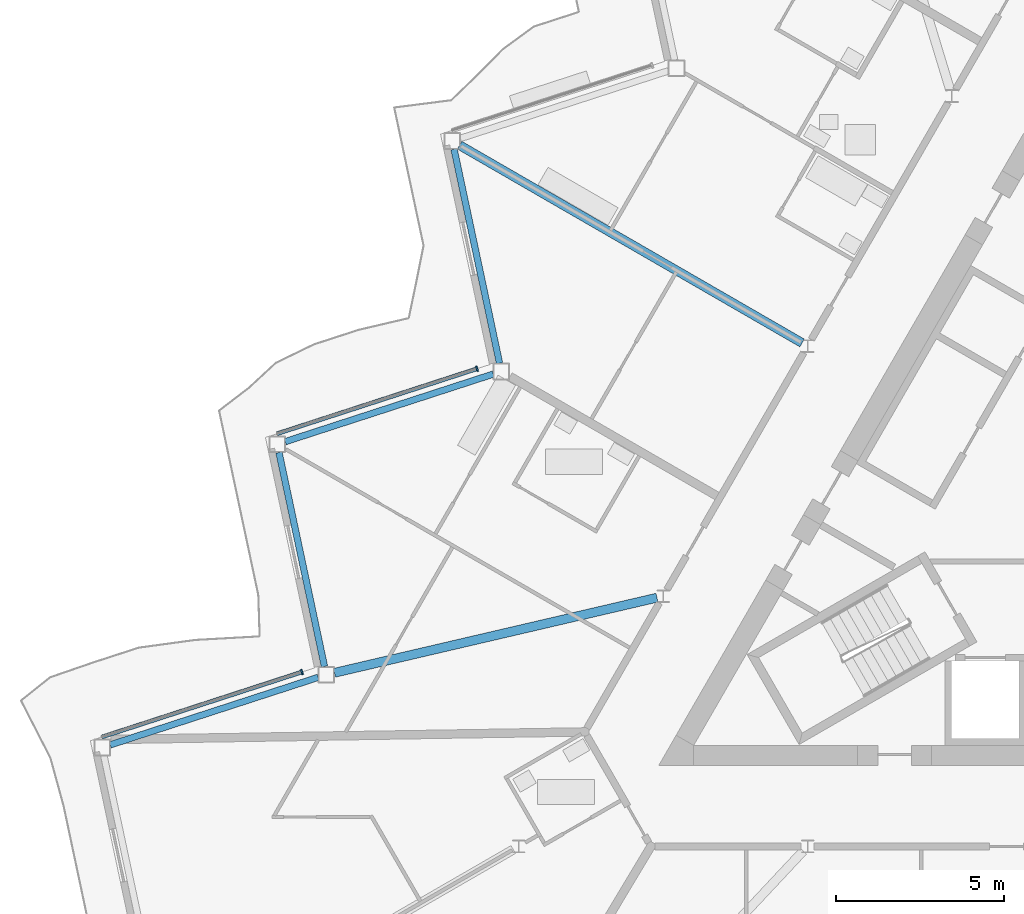
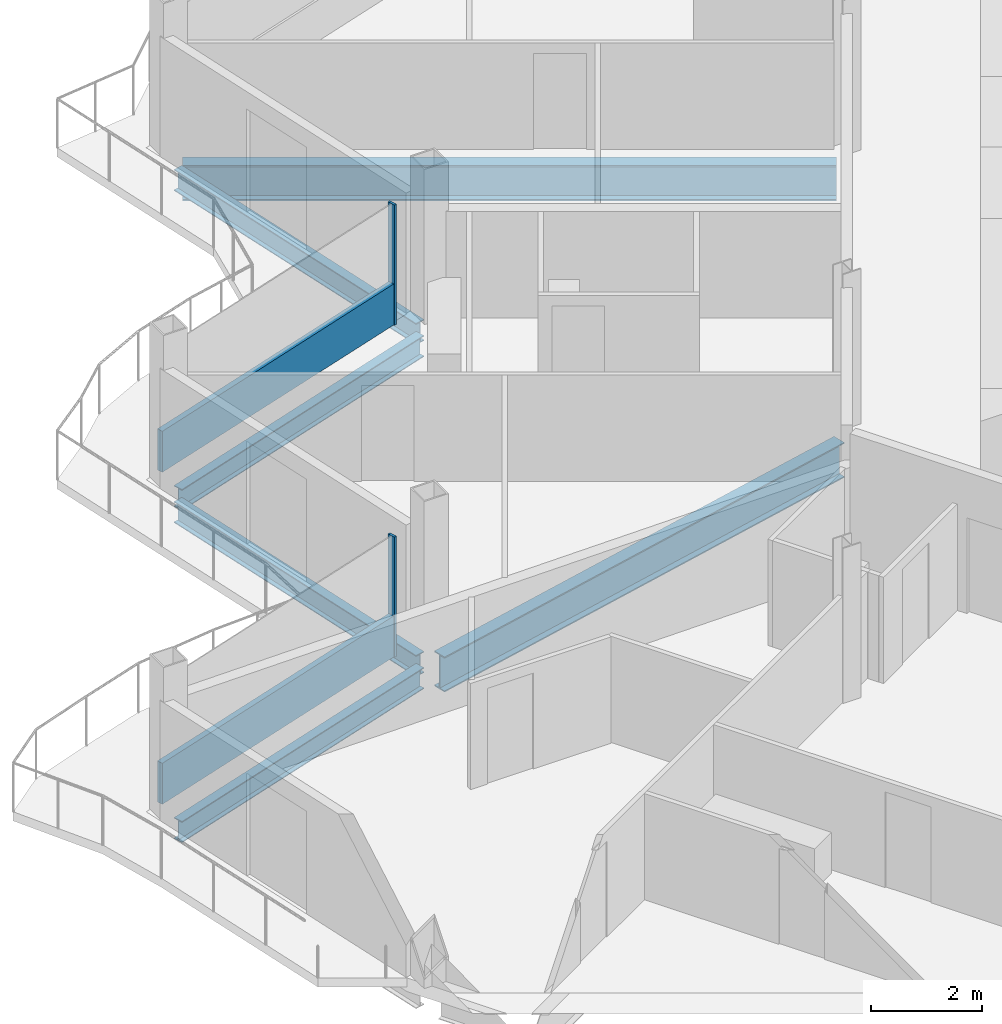
# One storey, part 6 of 26: 6 beams, 4 members, 2 elements without a shape of their own.
"""IFC4 building model written with IfcOpenShell, lengths in metres."""

from ifc_helpers import new_model, si_unit, direction, frame, origin, origin_2d, place, context, subcontext, project, spatial, rectangle, i_section, extrude, material, layer, layer_set, material_profile, profile_set, type_object, element, aggregate, save


model = new_model("IFC4")

# Units and contexts
model_context = context("Model", 3, precision=1e-05, world=origin(), true_north=direction((0.0, 1.0)))
body_context = subcontext(model_context, "Body", "Model", "MODEL_VIEW")
ifc_project = project(units=[si_unit("LENGTHUNIT", "METRE"), si_unit("AREAUNIT", "SQUARE_METRE"), si_unit("VOLUMEUNIT", "CUBIC_METRE"), si_unit("PLANEANGLEUNIT", "RADIAN"), si_unit("MASSUNIT", "GRAM", prefix="KILO")], contexts=[model_context])

# Site, building, storey
site_placement = place(None, origin())
site = spatial("IfcSite", under=ifc_project, at=site_placement, CompositionType="ELEMENT")
building_placement = place(site_placement, origin())
building = spatial("IfcBuilding", under=site, at=building_placement, Name="Cormorant Prow Tower", CompositionType="ELEMENT")
storey_placement = place(building_placement, frame((0.0, 0.0, 388.199951171875)))
storey = spatial("IfcBuildingStorey", under=building, at=storey_placement, Name="L88", CompositionType="ELEMENT", Elevation=388.199951171875)

# Beams
ifc_material_1 = material(Name="Structural steel ASTM A992 Gr 50", Category="steel")
ifc_material_profile_1 = material_profile(ifc_material_1, i_section(OverallWidth=0.267822265625, OverallDepth=0.77001953125, WebThickness=0.015625, FlangeThickness=0.025390625, at=origin_2d()), Name="W30x132")
ifc_profile_set_1 = profile_set([ifc_material_profile_1], Name="Structural steel ASTM A992 Gr 50")
beam_type_1 = type_object("IfcBeamType", Name="Radial floor beam W30x132", PredefinedType="BEAM", material=ifc_profile_set_1)
beam_1_placement = place(storey_placement, frame((-8.740478515625, 5.04638671875, -0.684814453125), z_axis=(-0.866026702285, 0.499997750924, 0.0), x_axis=(-0.499997750924, -0.866026702285, 0.0)))
element("IfcBeam", 1, at=beam_1_placement, inside=storey, type_object=beam_type_1, Name="Radial floor beam FB3 3 L88", PredefinedType="BEAM", context=body_context, shape_type="SweptSolid", body=[
    extrude(i_section(OverallWidth=0.267822265625, OverallDepth=0.77001953125, WebThickness=0.015625, FlangeThickness=0.025390625, at=origin_2d()), origin(), (0.0, 0.0, 1.0), 11.7451171875),
])
beam_2_placement = place(storey_placement, frame((-13.0498046875, -2.518798828125, -0.684814453125), z_axis=(-0.973926084128, -0.226865560752, 0.0), x_axis=(0.226865560752, -0.973926084128, 0.0)))
element("IfcBeam", 2, at=beam_2_placement, inside=storey, type_object=beam_type_1, Name="Radial floor beam FB3 4 L88", PredefinedType="BEAM", context=body_context, shape_type="SweptSolid", body=[
    extrude(i_section(OverallWidth=0.267822265625, OverallDepth=0.77001953125, WebThickness=0.015625, FlangeThickness=0.025390625, at=origin_2d()), origin(), (0.0, 0.0, 1.0), 9.837158203125),
])

# Curtain wall, member
ifc_material_2 = material(Name="Aluminium 6063-T6", Category="aluminium")
ifc_layer = layer(ifc_material_2, 0.159912109375)
ifc_layer_set = layer_set([ifc_layer], Name="Aluminium 6063-T6")
curtain_wall_type = type_object("IfcCurtainWallType", Name="Residential unitised curtain wall 160", PredefinedType="NOTDEFINED", material=ifc_layer_set)
curtain_wall_1_placement = place(storey_placement, origin())
curtain_wall_1 = element("IfcCurtainWall", 3, at=curtain_wall_1_placement, inside=storey, type_object=curtain_wall_type, Name="Residential curtain wall WNW06", PredefinedType="NOTDEFINED")
ifc_material_3 = material(Name="Aluminium 6063-T6", Category="aluminium")
ifc_material_profile_2 = material_profile(ifc_material_3, rectangle(XDim=0.159912109375, YDim=0.050048828125, at=origin_2d()), Name="Residential mullion 50x160")
ifc_profile_set_2 = profile_set([ifc_material_profile_2], Name="Aluminium 6063-T6")
member_type_1 = type_object("IfcMemberType", Name="Residential mullion 50x160", PredefinedType="MULLION", material=ifc_profile_set_2)
member_1_placement = place(storey_placement, frame((-18.3955078125, 4.28076171875, 0.0), z_axis=(0.0, 0.0, 1.0), x_axis=(0.309017024369, -0.951056506549, 0.0)))
member_1 = element("IfcMember", 4, at=member_1_placement, type_object=member_type_1, Name="Residential mullion WNW06", PredefinedType="MULLION", context=body_context, shape_type="SweptSolid", body=[
    extrude(rectangle(XDim=0.159912109375, YDim=0.050048828125, at=origin_2d()), origin(), (0.0, 0.0, 1.0), 2.634033203125),
])

curtain_wall_2_placement = place(storey_placement, origin())
curtain_wall_2 = element("IfcCurtainWall", 5, at=curtain_wall_2_placement, inside=storey, type_object=curtain_wall_type, Name="Residential curtain wall WNW08", PredefinedType="NOTDEFINED")
member_2_placement = place(storey_placement, frame((-23.595458984375, -4.72607421875, 0.0), z_axis=(0.0, 0.0, 1.0), x_axis=(0.309016895096, -0.951056548553, 0.0)))
member_2 = element("IfcMember", 6, at=member_2_placement, type_object=member_type_1, Name="Residential mullion WNW08", PredefinedType="MULLION", context=body_context, shape_type="SweptSolid", body=[
    extrude(rectangle(XDim=0.159912109375, YDim=0.050048828125, at=origin_2d()), origin(), (0.0, 0.0, 1.0), 2.634033203125),
])

# Member
ifc_material_4 = material(Name="Terracotta", Category="masonry")
ifc_material_profile_3 = material_profile(ifc_material_4, rectangle(XDim=0.1201171875, YDim=0.89990234375, at=origin_2d()), Name="Residential terracotta spandrel rail 120x900")
ifc_profile_set_3 = profile_set([ifc_material_profile_3], Name="Terracotta")
member_type_2 = type_object("IfcMemberType", Name="Residential terracotta spandrel rail 120x900", PredefinedType="USERDEFINED", material=ifc_profile_set_3)
member_3_placement = place(storey_placement, frame((-18.419189453125, 4.27294921875, 0.449951171875), z_axis=(-0.951056004715, -0.309018568854, 0.0), x_axis=(0.309018568854, -0.951056004715, 0.0)))
member_3 = element("IfcMember", 7, at=member_3_placement, type_object=member_type_2, Name="Residential spandrel rail WNW06", ObjectType="TRANSOM", PredefinedType="USERDEFINED", context=body_context, shape_type="SweptSolid", body=[
    extrude(rectangle(XDim=0.1201171875, YDim=0.89990234375, at=origin_2d()), origin(), (0.0, 0.0, 1.0), 6.21533203125),
])

aggregate(curtain_wall_1, [member_1, member_3])

member_4_placement = place(storey_placement, frame((-23.619140625, -4.733642578125, 0.449951171875), z_axis=(-0.951056004715, -0.309018568854, 0.0), x_axis=(0.309018568854, -0.951056004715, 0.0)))
member_4 = element("IfcMember", 8, at=member_4_placement, type_object=member_type_2, Name="Residential spandrel rail WNW08", ObjectType="TRANSOM", PredefinedType="USERDEFINED", context=body_context, shape_type="SweptSolid", body=[
    extrude(rectangle(XDim=0.1201171875, YDim=0.89990234375, at=origin_2d()), origin(), (0.0, 0.0, 1.0), 6.21533203125),
])

aggregate(curtain_wall_2, [member_2, member_4])

# Beams
ifc_material_5 = material(Name="Structural steel ASTM A992 Gr 50", Category="steel")
ifc_material_profile_4 = material_profile(ifc_material_5, i_section(OverallWidth=0.19287109375, OverallDepth=0.466064453125, WebThickness=0.011474609375, FlangeThickness=0.01904296875, at=origin_2d()), Name="W18x65")
ifc_profile_set_4 = profile_set([ifc_material_profile_4], Name="Structural steel ASTM A992 Gr 50")
beam_type_2 = type_object("IfcBeamType", Name="Spandrel beam W18x65", PredefinedType="SPANDREL", material=ifc_profile_set_4)
for number, where, z_axis, x_axis, name in (
    (9, (-19.07666015625, 10.79931640625, -0.532958984375), (0.207909538847, -0.978148058147, 0.0), (0.978148058147, 0.207909538847, 0.0), "Spandrel beam SB4 WNW05-WNW06 L88"),
    (10, (-17.91162109375, 4.122314453125, -0.532958984375), (-0.951053396625, -0.309026595569, 0.0), (0.309026595569, -0.951053396625, 0.0), "Spandrel beam SB4 WNW06-WNW07 L88"),
    (11, (-24.276611328125, 1.792724609375, -0.532958984375), (0.207909538847, -0.978148058147, 0.0), (0.978148058147, 0.207909538847, 0.0), "Spandrel beam SB4 WNW07-WNW08 L88"),
    (12, (-23.111572265625, -4.88427734375, -0.532958984375), (-0.951053396625, -0.309026595569, 0.0), (0.309026595569, -0.951053396625, 0.0), "Spandrel beam SB4 WNW08-WNW09 L88"),
):
    element("IfcBeam", number, at=place(storey_placement, frame(where, z_axis=z_axis, x_axis=x_axis)), inside=storey, type_object=beam_type_2, Name=name, PredefinedType="SPANDREL", context=body_context, shape_type="SweptSolid", body=[
        extrude(i_section(OverallWidth=0.19287109375, OverallDepth=0.466064453125, WebThickness=0.011474609375, FlangeThickness=0.01904296875, at=origin_2d()), origin(), (0.0, 0.0, 1.0), 6.497314453125),
    ])

save(model, "model.ifc")
